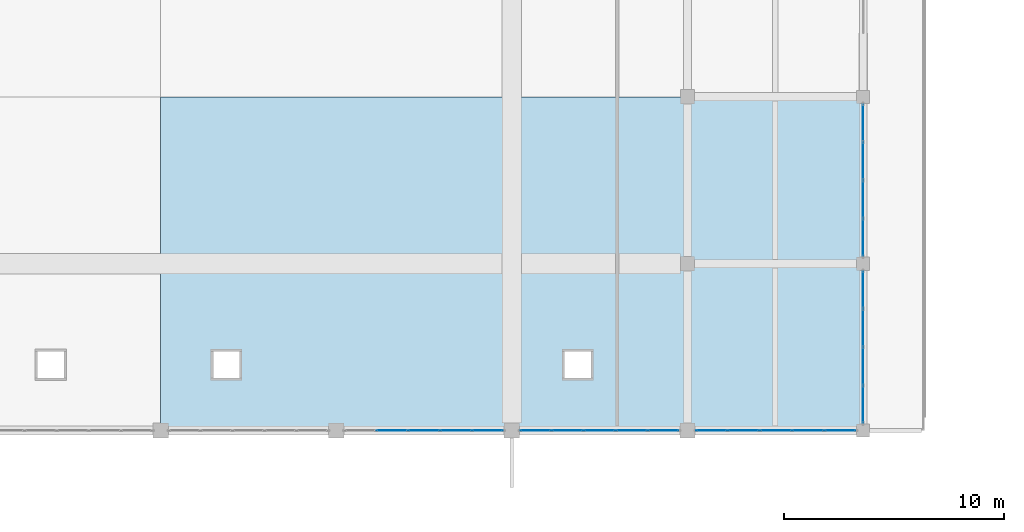
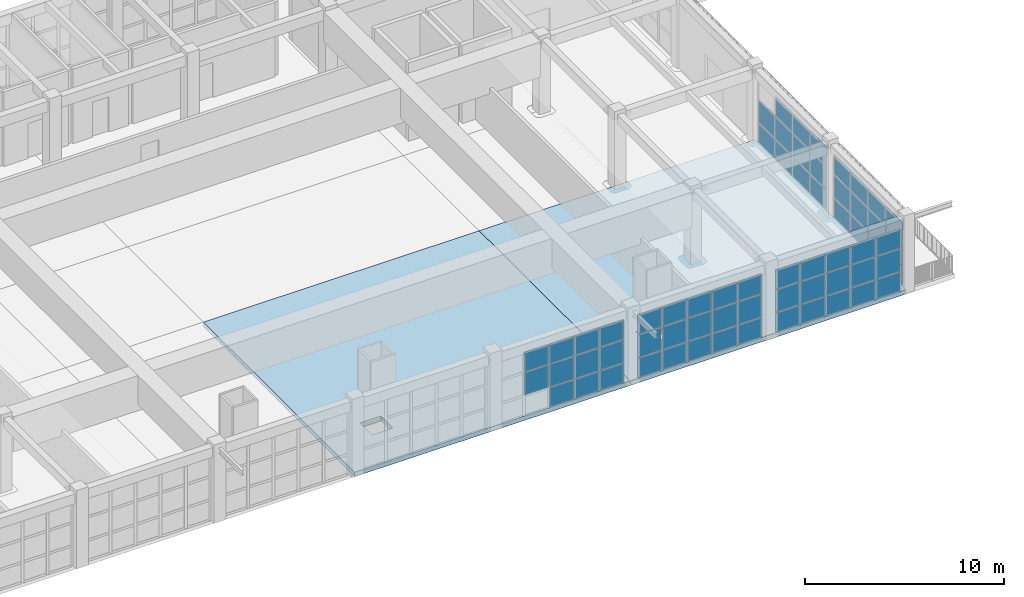
# One storey, part 32 of 50: 64 plates, 2 slabs, 5 elements without a shape of their own.
"""IFC4 building model written with IfcOpenShell, lengths in metres."""

from ifc_helpers import new_model, si_unit, direction, frame, origin, origin_2d, place, context, subcontext, project, spatial, polyline, rectangle, outline, extrude, material, layer, layer_set, type_object, element, aggregate, save


model = new_model("IFC4")

# Units and contexts
model_context = context("Model", 3, precision=1e-05, world=origin(), true_north=direction((0.0, 1.0)))
body_context = subcontext(model_context, "Body", "Model", "MODEL_VIEW")
ifc_project = project(units=[si_unit("LENGTHUNIT", "METRE"), si_unit("AREAUNIT", "SQUARE_METRE"), si_unit("VOLUMEUNIT", "CUBIC_METRE"), si_unit("PLANEANGLEUNIT", "RADIAN"), si_unit("MASSUNIT", "GRAM", prefix="KILO")], contexts=[model_context])

# Site, building, storey
site_placement = place(None, origin())
site = spatial("IfcSite", under=ifc_project, at=site_placement, CompositionType="ELEMENT")
building_placement = place(site_placement, origin())
building = spatial("IfcBuilding", under=site, at=building_placement, Name="Zantavel Square City Hall", CompositionType="ELEMENT")
storey_placement = place(building_placement, frame((0.0, 0.0, 18.89990234375)))
storey = spatial("IfcBuildingStorey", under=building, at=storey_placement, Name="L05", CompositionType="ELEMENT", Elevation=18.89990234375)

# Slabs
ifc_material_1 = material(Name="Concrete C40/50", Category="concrete")
ifc_layer_1 = layer(ifc_material_1, 0.27001953125, Name="Concrete C40/50")
ifc_layer_set_1 = layer_set([ifc_layer_1], Name="Concrete C40/50")
slab_type = type_object("IfcSlabType", Name="Council Chamber Acoustic Slab 270mm C40/50", PredefinedType="FLOOR", material=ifc_layer_set_1)
slab_1_placement = place(storey_placement, frame((0.0, 0.0, -0.27001953125)))
element("IfcSlab", 1, at=slab_1_placement, inside=storey, type_object=slab_type, Name="L05 Floor Slab SLB-L05-V1-03", PredefinedType="FLOOR", context=body_context, shape_type="SweptSolid", body=[
    extrude(outline(polyline([(96.0, 30.39990234375), (80.0, 30.39990234375), (80.0, 45.60009765625), (96.0, 45.60009765625), (96.0, 30.39990234375)]), holes=[polyline([(83.60009765625, 34.0), (82.39990234375, 34.0), (82.39990234375, 32.800048828125), (83.60009765625, 32.800048828125), (83.60009765625, 34.0)])]), origin(), (0.0, 0.0, 1.0), 0.27001953125),
])
slab_2_placement = place(storey_placement, frame((0.0, 0.0, -0.27001953125)))
element("IfcSlab", 2, at=slab_2_placement, inside=storey, type_object=slab_type, Name="L05 Floor Slab SLB-L05-V1-04", PredefinedType="FLOOR", context=body_context, shape_type="SweptSolid", body=[
    extrude(outline(polyline([(112.0, 30.39990234375), (96.0, 30.39990234375), (96.0, 45.60009765625), (112.0, 45.60009765625), (112.0, 30.39990234375)]), holes=[polyline([(99.60009765625, 34.0), (98.39990234375, 34.0), (98.39990234375, 32.800048828125), (99.60009765625, 32.800048828125), (99.60009765625, 34.0)])]), origin(), (0.0, 0.0, 1.0), 0.27001953125),
])

# Curtain wall, plates
ifc_material_2 = material(Name="Anodised aluminium 6063-T6", Category="aluminium")
curtain_wall_type_1 = type_object("IfcCurtainWallType", Name="Curtain Wall TRV1 7300x3970", PredefinedType="USERDEFINED", material=ifc_material_2)
curtain_wall_1_placement = place(storey_placement, origin())
curtain_wall_1 = element("IfcCurtainWall", 3, at=curtain_wall_1_placement, inside=storey, type_object=curtain_wall_type_1, Name="L05 Glazed Curtain Wall CW-L05-134", ObjectType="GLAZED CURTAIN WALL", PredefinedType="USERDEFINED")
ifc_material_3 = material(Name="Tempered safety glass low-E double glazing", Category="glass")
ifc_layer_2 = layer(ifc_material_3, 0.028076171875, Name="Tempered safety glass low-E double glazing")
ifc_layer_set_2 = layer_set([ifc_layer_2], Name="Tempered safety glass low-E double glazing")
plate_type_1 = type_object("IfcPlateType", Name="Low-E Curtain Glazing Panel 1460x1323x28", PredefinedType="CURTAIN_PANEL", material=ifc_layer_set_2)
plate_1_placement = place(storey_placement, frame((102.905029296875, 30.39990234375, 0.06005859375), z_axis=(0.0, 0.0, 1.0), x_axis=(-1.0, 0.0, 0.0)))
plate_1 = element("IfcPlate", 4, at=plate_1_placement, type_object=plate_type_1, Name="CW-134 panel 1.1", PredefinedType="CURTAIN_PANEL", context=body_context, shape_type="SweptSolid", body=[
    extrude(rectangle(XDim=1.3701171875, YDim=0.028076171875, at=origin_2d()), origin(), (0.0, 0.0, 1.0), 1.179931640625),
])
plate_2_placement = place(storey_placement, frame((102.905029296875, 30.39990234375, 1.300048828125), z_axis=(0.0, 0.0, 1.0), x_axis=(-1.0, 0.0, 0.0)))
plate_2 = element("IfcPlate", 5, at=plate_2_placement, type_object=plate_type_1, Name="CW-134 panel 1.2", PredefinedType="CURTAIN_PANEL", context=body_context, shape_type="SweptSolid", body=[
    extrude(rectangle(XDim=1.3701171875, YDim=0.028076171875, at=origin_2d()), origin(), (0.0, 0.0, 1.0), 1.3701171875),
])
plate_3_placement = place(storey_placement, frame((102.905029296875, 30.39990234375, 2.72998046875), z_axis=(0.0, 0.0, 1.0), x_axis=(-1.0, 0.0, 0.0)))
plate_3 = element("IfcPlate", 6, at=plate_3_placement, type_object=plate_type_1, Name="CW-134 panel 1.3", PredefinedType="CURTAIN_PANEL", context=body_context, shape_type="SweptSolid", body=[
    extrude(rectangle(XDim=1.3701171875, YDim=0.028076171875, at=origin_2d()), origin(), (0.0, 0.0, 1.0), 1.179931640625),
])
plate_4_placement = place(storey_placement, frame((101.4599609375, 30.39990234375, 0.06005859375), z_axis=(0.0, 0.0, 1.0), x_axis=(-1.0, 0.0, 0.0)))
plate_4 = element("IfcPlate", 7, at=plate_4_placement, type_object=plate_type_1, Name="CW-134 panel 2.1", PredefinedType="CURTAIN_PANEL", context=body_context, shape_type="SweptSolid", body=[
    extrude(rectangle(XDim=1.39990234375, YDim=0.028076171875, at=origin_2d()), origin(), (0.0, 0.0, 1.0), 1.179931640625),
])
plate_5_placement = place(storey_placement, frame((101.4599609375, 30.39990234375, 1.300048828125), z_axis=(0.0, 0.0, 1.0), x_axis=(-1.0, 0.0, 0.0)))
plate_5 = element("IfcPlate", 8, at=plate_5_placement, type_object=plate_type_1, Name="CW-134 panel 2.2", PredefinedType="CURTAIN_PANEL", context=body_context, shape_type="SweptSolid", body=[
    extrude(rectangle(XDim=1.39990234375, YDim=0.028076171875, at=origin_2d()), origin(), (0.0, 0.0, 1.0), 1.3701171875),
])
plate_6_placement = place(storey_placement, frame((101.4599609375, 30.39990234375, 2.72998046875), z_axis=(0.0, 0.0, 1.0), x_axis=(-1.0, 0.0, 0.0)))
plate_6 = element("IfcPlate", 9, at=plate_6_placement, type_object=plate_type_1, Name="CW-134 panel 2.3", PredefinedType="CURTAIN_PANEL", context=body_context, shape_type="SweptSolid", body=[
    extrude(rectangle(XDim=1.39990234375, YDim=0.028076171875, at=origin_2d()), origin(), (0.0, 0.0, 1.0), 1.179931640625),
])
plate_7_placement = place(storey_placement, frame((100.0, 30.39990234375, 0.06005859375), z_axis=(0.0, 0.0, 1.0), x_axis=(-1.0, 0.0, 0.0)))
plate_7 = element("IfcPlate", 10, at=plate_7_placement, type_object=plate_type_1, Name="CW-134 panel 3.1", PredefinedType="CURTAIN_PANEL", context=body_context, shape_type="SweptSolid", body=[
    extrude(rectangle(XDim=1.39990234375, YDim=0.028076171875, at=origin_2d()), origin(), (0.0, 0.0, 1.0), 1.179931640625),
])
plate_8_placement = place(storey_placement, frame((100.0, 30.39990234375, 1.300048828125), z_axis=(0.0, 0.0, 1.0), x_axis=(-1.0, 0.0, 0.0)))
plate_8 = element("IfcPlate", 11, at=plate_8_placement, type_object=plate_type_1, Name="CW-134 panel 3.2", PredefinedType="CURTAIN_PANEL", context=body_context, shape_type="SweptSolid", body=[
    extrude(rectangle(XDim=1.39990234375, YDim=0.028076171875, at=origin_2d()), origin(), (0.0, 0.0, 1.0), 1.3701171875),
])
plate_9_placement = place(storey_placement, frame((100.0, 30.39990234375, 2.72998046875), z_axis=(0.0, 0.0, 1.0), x_axis=(-1.0, 0.0, 0.0)))
plate_9 = element("IfcPlate", 12, at=plate_9_placement, type_object=plate_type_1, Name="CW-134 panel 3.3", PredefinedType="CURTAIN_PANEL", context=body_context, shape_type="SweptSolid", body=[
    extrude(rectangle(XDim=1.39990234375, YDim=0.028076171875, at=origin_2d()), origin(), (0.0, 0.0, 1.0), 1.179931640625),
])
plate_10_placement = place(storey_placement, frame((98.5400390625, 30.39990234375, 0.06005859375), z_axis=(0.0, 0.0, 1.0), x_axis=(-1.0, 0.0, 0.0)))
plate_10 = element("IfcPlate", 13, at=plate_10_placement, type_object=plate_type_1, Name="CW-134 panel 4.1", PredefinedType="CURTAIN_PANEL", context=body_context, shape_type="SweptSolid", body=[
    extrude(rectangle(XDim=1.39990234375, YDim=0.028076171875, at=origin_2d()), origin(), (0.0, 0.0, 1.0), 1.179931640625),
])
plate_11_placement = place(storey_placement, frame((98.5400390625, 30.39990234375, 1.300048828125), z_axis=(0.0, 0.0, 1.0), x_axis=(-1.0, 0.0, 0.0)))
plate_11 = element("IfcPlate", 14, at=plate_11_placement, type_object=plate_type_1, Name="CW-134 panel 4.2", PredefinedType="CURTAIN_PANEL", context=body_context, shape_type="SweptSolid", body=[
    extrude(rectangle(XDim=1.39990234375, YDim=0.028076171875, at=origin_2d()), origin(), (0.0, 0.0, 1.0), 1.3701171875),
])
plate_12_placement = place(storey_placement, frame((98.5400390625, 30.39990234375, 2.72998046875), z_axis=(0.0, 0.0, 1.0), x_axis=(-1.0, 0.0, 0.0)))
plate_12 = element("IfcPlate", 15, at=plate_12_placement, type_object=plate_type_1, Name="CW-134 panel 4.3", PredefinedType="CURTAIN_PANEL", context=body_context, shape_type="SweptSolid", body=[
    extrude(rectangle(XDim=1.39990234375, YDim=0.028076171875, at=origin_2d()), origin(), (0.0, 0.0, 1.0), 1.179931640625),
])
plate_13_placement = place(storey_placement, frame((97.094970703125, 30.39990234375, 0.06005859375), z_axis=(0.0, 0.0, 1.0), x_axis=(-1.0, 0.0, 0.0)))
plate_13 = element("IfcPlate", 16, at=plate_13_placement, type_object=plate_type_1, Name="CW-134 panel 5.1", PredefinedType="CURTAIN_PANEL", context=body_context, shape_type="SweptSolid", body=[
    extrude(rectangle(XDim=1.3701171875, YDim=0.028076171875, at=origin_2d()), origin(), (0.0, 0.0, 1.0), 1.179931640625),
])
plate_14_placement = place(storey_placement, frame((97.094970703125, 30.39990234375, 1.300048828125), z_axis=(0.0, 0.0, 1.0), x_axis=(-1.0, 0.0, 0.0)))
plate_14 = element("IfcPlate", 17, at=plate_14_placement, type_object=plate_type_1, Name="CW-134 panel 5.2", PredefinedType="CURTAIN_PANEL", context=body_context, shape_type="SweptSolid", body=[
    extrude(rectangle(XDim=1.3701171875, YDim=0.028076171875, at=origin_2d()), origin(), (0.0, 0.0, 1.0), 1.3701171875),
])
plate_15_placement = place(storey_placement, frame((97.094970703125, 30.39990234375, 2.72998046875), z_axis=(0.0, 0.0, 1.0), x_axis=(-1.0, 0.0, 0.0)))
plate_15 = element("IfcPlate", 18, at=plate_15_placement, type_object=plate_type_1, Name="CW-134 panel 5.3", PredefinedType="CURTAIN_PANEL", context=body_context, shape_type="SweptSolid", body=[
    extrude(rectangle(XDim=1.3701171875, YDim=0.028076171875, at=origin_2d()), origin(), (0.0, 0.0, 1.0), 1.179931640625),
])
aggregate(curtain_wall_1, [plate_1, plate_2, plate_3, plate_4, plate_5, plate_6, plate_7, plate_8, plate_9, plate_10, plate_11, plate_12, plate_13, plate_14, plate_15])

curtain_wall_2_placement = place(storey_placement, origin())
curtain_wall_2 = element("IfcCurtainWall", 19, at=curtain_wall_2_placement, inside=storey, type_object=curtain_wall_type_1, Name="L05 Glazed Curtain Wall CW-L05-135", ObjectType="GLAZED CURTAIN WALL", PredefinedType="USERDEFINED")
plate_16_placement = place(storey_placement, frame((94.905029296875, 30.39990234375, 0.06005859375), z_axis=(0.0, 0.0, 1.0), x_axis=(-1.0, 0.0, 0.0)))
plate_16 = element("IfcPlate", 20, at=plate_16_placement, type_object=plate_type_1, Name="CW-135 panel 1.1", PredefinedType="CURTAIN_PANEL", context=body_context, shape_type="SweptSolid", body=[
    extrude(rectangle(XDim=1.3701171875, YDim=0.028076171875, at=origin_2d()), origin(), (0.0, 0.0, 1.0), 1.179931640625),
])
plate_17_placement = place(storey_placement, frame((94.905029296875, 30.39990234375, 1.300048828125), z_axis=(0.0, 0.0, 1.0), x_axis=(-1.0, 0.0, 0.0)))
plate_17 = element("IfcPlate", 21, at=plate_17_placement, type_object=plate_type_1, Name="CW-135 panel 1.2", PredefinedType="CURTAIN_PANEL", context=body_context, shape_type="SweptSolid", body=[
    extrude(rectangle(XDim=1.3701171875, YDim=0.028076171875, at=origin_2d()), origin(), (0.0, 0.0, 1.0), 1.3701171875),
])
plate_18_placement = place(storey_placement, frame((94.905029296875, 30.39990234375, 2.72998046875), z_axis=(0.0, 0.0, 1.0), x_axis=(-1.0, 0.0, 0.0)))
plate_18 = element("IfcPlate", 22, at=plate_18_placement, type_object=plate_type_1, Name="CW-135 panel 1.3", PredefinedType="CURTAIN_PANEL", context=body_context, shape_type="SweptSolid", body=[
    extrude(rectangle(XDim=1.3701171875, YDim=0.028076171875, at=origin_2d()), origin(), (0.0, 0.0, 1.0), 1.179931640625),
])
plate_19_placement = place(storey_placement, frame((93.4599609375, 30.39990234375, 0.06005859375), z_axis=(0.0, 0.0, 1.0), x_axis=(-1.0, 0.0, 0.0)))
plate_19 = element("IfcPlate", 23, at=plate_19_placement, type_object=plate_type_1, Name="CW-135 panel 2.1", PredefinedType="CURTAIN_PANEL", context=body_context, shape_type="SweptSolid", body=[
    extrude(rectangle(XDim=1.39990234375, YDim=0.028076171875, at=origin_2d()), origin(), (0.0, 0.0, 1.0), 1.179931640625),
])
plate_20_placement = place(storey_placement, frame((93.4599609375, 30.39990234375, 1.300048828125), z_axis=(0.0, 0.0, 1.0), x_axis=(-1.0, 0.0, 0.0)))
plate_20 = element("IfcPlate", 24, at=plate_20_placement, type_object=plate_type_1, Name="CW-135 panel 2.2", PredefinedType="CURTAIN_PANEL", context=body_context, shape_type="SweptSolid", body=[
    extrude(rectangle(XDim=1.39990234375, YDim=0.028076171875, at=origin_2d()), origin(), (0.0, 0.0, 1.0), 1.3701171875),
])
plate_21_placement = place(storey_placement, frame((93.4599609375, 30.39990234375, 2.72998046875), z_axis=(0.0, 0.0, 1.0), x_axis=(-1.0, 0.0, 0.0)))
plate_21 = element("IfcPlate", 25, at=plate_21_placement, type_object=plate_type_1, Name="CW-135 panel 2.3", PredefinedType="CURTAIN_PANEL", context=body_context, shape_type="SweptSolid", body=[
    extrude(rectangle(XDim=1.39990234375, YDim=0.028076171875, at=origin_2d()), origin(), (0.0, 0.0, 1.0), 1.179931640625),
])
plate_22_placement = place(storey_placement, frame((92.0, 30.39990234375, 0.06005859375), z_axis=(0.0, 0.0, 1.0), x_axis=(-1.0, 0.0, 0.0)))
plate_22 = element("IfcPlate", 26, at=plate_22_placement, type_object=plate_type_1, Name="CW-135 panel 3.1", PredefinedType="CURTAIN_PANEL", context=body_context, shape_type="SweptSolid", body=[
    extrude(rectangle(XDim=1.39990234375, YDim=0.028076171875, at=origin_2d()), origin(), (0.0, 0.0, 1.0), 1.179931640625),
])
plate_23_placement = place(storey_placement, frame((92.0, 30.39990234375, 1.300048828125), z_axis=(0.0, 0.0, 1.0), x_axis=(-1.0, 0.0, 0.0)))
plate_23 = element("IfcPlate", 27, at=plate_23_placement, type_object=plate_type_1, Name="CW-135 panel 3.2", PredefinedType="CURTAIN_PANEL", context=body_context, shape_type="SweptSolid", body=[
    extrude(rectangle(XDim=1.39990234375, YDim=0.028076171875, at=origin_2d()), origin(), (0.0, 0.0, 1.0), 1.3701171875),
])
plate_24_placement = place(storey_placement, frame((92.0, 30.39990234375, 2.72998046875), z_axis=(0.0, 0.0, 1.0), x_axis=(-1.0, 0.0, 0.0)))
plate_24 = element("IfcPlate", 28, at=plate_24_placement, type_object=plate_type_1, Name="CW-135 panel 3.3", PredefinedType="CURTAIN_PANEL", context=body_context, shape_type="SweptSolid", body=[
    extrude(rectangle(XDim=1.39990234375, YDim=0.028076171875, at=origin_2d()), origin(), (0.0, 0.0, 1.0), 1.179931640625),
])
plate_25_placement = place(storey_placement, frame((90.5400390625, 30.39990234375, 1.300048828125), z_axis=(0.0, 0.0, 1.0), x_axis=(-1.0, 0.0, 0.0)))
plate_25 = element("IfcPlate", 29, at=plate_25_placement, type_object=plate_type_1, Name="CW-135 panel 4.2", PredefinedType="CURTAIN_PANEL", context=body_context, shape_type="SweptSolid", body=[
    extrude(rectangle(XDim=1.39990234375, YDim=0.028076171875, at=origin_2d()), origin(), (0.0, 0.0, 1.0), 1.3701171875),
])
plate_26_placement = place(storey_placement, frame((90.5400390625, 30.39990234375, 2.72998046875), z_axis=(0.0, 0.0, 1.0), x_axis=(-1.0, 0.0, 0.0)))
plate_26 = element("IfcPlate", 30, at=plate_26_placement, type_object=plate_type_1, Name="CW-135 panel 4.3", PredefinedType="CURTAIN_PANEL", context=body_context, shape_type="SweptSolid", body=[
    extrude(rectangle(XDim=1.39990234375, YDim=0.028076171875, at=origin_2d()), origin(), (0.0, 0.0, 1.0), 1.179931640625),
])
aggregate(curtain_wall_2, [plate_16, plate_17, plate_18, plate_19, plate_20, plate_21, plate_22, plate_23, plate_24, plate_25, plate_26])

curtain_wall_type_2 = type_object("IfcCurtainWallType", Name="Curtain Wall TRV1 7350x3920", PredefinedType="USERDEFINED", material=ifc_material_2)
curtain_wall_3_placement = place(storey_placement, origin())
curtain_wall_3 = element("IfcCurtainWall", 31, at=curtain_wall_3_placement, inside=storey, type_object=curtain_wall_type_2, Name="L05 Glazed Curtain Wall CW-L05-133", ObjectType="GLAZED CURTAIN WALL", PredefinedType="USERDEFINED")
ifc_layer_3 = layer(ifc_material_3, 0.028076171875, Name="Tempered safety glass low-E double glazing")
ifc_layer_set_3 = layer_set([ifc_layer_3], Name="Tempered safety glass low-E double glazing")
plate_type_2 = type_object("IfcPlateType", Name="Low-E Curtain Glazing Panel 1470x1307x28", PredefinedType="CURTAIN_PANEL", material=ifc_layer_set_3)
plate_27_placement = place(storey_placement, frame((110.949951171875, 30.39990234375, 0.06005859375), z_axis=(0.0, 0.0, 1.0), x_axis=(-1.0, 0.0, 0.0)))
plate_27 = element("IfcPlate", 32, at=plate_27_placement, type_object=plate_type_2, Name="CW-133 panel 1.1", PredefinedType="CURTAIN_PANEL", context=body_context, shape_type="SweptSolid", body=[
    extrude(rectangle(XDim=1.3798828125, YDim=0.028076171875, at=origin_2d()), origin(), (0.0, 0.0, 1.0), 1.1640625),
])
plate_28_placement = place(storey_placement, frame((110.949951171875, 30.39990234375, 1.2841796875), z_axis=(0.0, 0.0, 1.0), x_axis=(-1.0, 0.0, 0.0)))
plate_28 = element("IfcPlate", 33, at=plate_28_placement, type_object=plate_type_2, Name="CW-133 panel 1.2", PredefinedType="CURTAIN_PANEL", context=body_context, shape_type="SweptSolid", body=[
    extrude(rectangle(XDim=1.3798828125, YDim=0.028076171875, at=origin_2d()), origin(), (0.0, 0.0, 1.0), 1.35205078125),
])
plate_29_placement = place(storey_placement, frame((110.949951171875, 30.39990234375, 2.696044921875), z_axis=(0.0, 0.0, 1.0), x_axis=(-1.0, 0.0, 0.0)))
plate_29 = element("IfcPlate", 34, at=plate_29_placement, type_object=plate_type_2, Name="CW-133 panel 1.3", PredefinedType="CURTAIN_PANEL", context=body_context, shape_type="SweptSolid", body=[
    extrude(rectangle(XDim=1.3798828125, YDim=0.028076171875, at=origin_2d()), origin(), (0.0, 0.0, 1.0), 1.1640625),
])
plate_30_placement = place(storey_placement, frame((109.4951171875, 30.39990234375, 0.06005859375), z_axis=(0.0, 0.0, 1.0), x_axis=(-1.0, 0.0, 0.0)))
plate_30 = element("IfcPlate", 35, at=plate_30_placement, type_object=plate_type_2, Name="CW-133 panel 2.1", PredefinedType="CURTAIN_PANEL", context=body_context, shape_type="SweptSolid", body=[
    extrude(rectangle(XDim=1.409912109375, YDim=0.028076171875, at=origin_2d()), origin(), (0.0, 0.0, 1.0), 1.1640625),
])
plate_31_placement = place(storey_placement, frame((109.4951171875, 30.39990234375, 1.2841796875), z_axis=(0.0, 0.0, 1.0), x_axis=(-1.0, 0.0, 0.0)))
plate_31 = element("IfcPlate", 36, at=plate_31_placement, type_object=plate_type_2, Name="CW-133 panel 2.2", PredefinedType="CURTAIN_PANEL", context=body_context, shape_type="SweptSolid", body=[
    extrude(rectangle(XDim=1.409912109375, YDim=0.028076171875, at=origin_2d()), origin(), (0.0, 0.0, 1.0), 1.35205078125),
])
plate_32_placement = place(storey_placement, frame((109.4951171875, 30.39990234375, 2.696044921875), z_axis=(0.0, 0.0, 1.0), x_axis=(-1.0, 0.0, 0.0)))
plate_32 = element("IfcPlate", 37, at=plate_32_placement, type_object=plate_type_2, Name="CW-133 panel 2.3", PredefinedType="CURTAIN_PANEL", context=body_context, shape_type="SweptSolid", body=[
    extrude(rectangle(XDim=1.409912109375, YDim=0.028076171875, at=origin_2d()), origin(), (0.0, 0.0, 1.0), 1.1640625),
])
plate_33_placement = place(storey_placement, frame((108.02490234375, 30.39990234375, 0.06005859375), z_axis=(0.0, 0.0, 1.0), x_axis=(-1.0, 0.0, 0.0)))
plate_33 = element("IfcPlate", 38, at=plate_33_placement, type_object=plate_type_2, Name="CW-133 panel 3.1", PredefinedType="CURTAIN_PANEL", context=body_context, shape_type="SweptSolid", body=[
    extrude(rectangle(XDim=1.409912109375, YDim=0.028076171875, at=origin_2d()), origin(), (0.0, 0.0, 1.0), 1.1640625),
])
plate_34_placement = place(storey_placement, frame((108.02490234375, 30.39990234375, 1.2841796875), z_axis=(0.0, 0.0, 1.0), x_axis=(-1.0, 0.0, 0.0)))
plate_34 = element("IfcPlate", 39, at=plate_34_placement, type_object=plate_type_2, Name="CW-133 panel 3.2", PredefinedType="CURTAIN_PANEL", context=body_context, shape_type="SweptSolid", body=[
    extrude(rectangle(XDim=1.409912109375, YDim=0.028076171875, at=origin_2d()), origin(), (0.0, 0.0, 1.0), 1.35205078125),
])
plate_35_placement = place(storey_placement, frame((108.02490234375, 30.39990234375, 2.696044921875), z_axis=(0.0, 0.0, 1.0), x_axis=(-1.0, 0.0, 0.0)))
plate_35 = element("IfcPlate", 40, at=plate_35_placement, type_object=plate_type_2, Name="CW-133 panel 3.3", PredefinedType="CURTAIN_PANEL", context=body_context, shape_type="SweptSolid", body=[
    extrude(rectangle(XDim=1.409912109375, YDim=0.028076171875, at=origin_2d()), origin(), (0.0, 0.0, 1.0), 1.1640625),
])
plate_36_placement = place(storey_placement, frame((106.554931640625, 30.39990234375, 0.06005859375), z_axis=(0.0, 0.0, 1.0), x_axis=(-1.0, 0.0, 0.0)))
plate_36 = element("IfcPlate", 41, at=plate_36_placement, type_object=plate_type_2, Name="CW-133 panel 4.1", PredefinedType="CURTAIN_PANEL", context=body_context, shape_type="SweptSolid", body=[
    extrude(rectangle(XDim=1.409912109375, YDim=0.028076171875, at=origin_2d()), origin(), (0.0, 0.0, 1.0), 1.1640625),
])
plate_37_placement = place(storey_placement, frame((106.554931640625, 30.39990234375, 1.2841796875), z_axis=(0.0, 0.0, 1.0), x_axis=(-1.0, 0.0, 0.0)))
plate_37 = element("IfcPlate", 42, at=plate_37_placement, type_object=plate_type_2, Name="CW-133 panel 4.2", PredefinedType="CURTAIN_PANEL", context=body_context, shape_type="SweptSolid", body=[
    extrude(rectangle(XDim=1.409912109375, YDim=0.028076171875, at=origin_2d()), origin(), (0.0, 0.0, 1.0), 1.35205078125),
])
plate_38_placement = place(storey_placement, frame((106.554931640625, 30.39990234375, 2.696044921875), z_axis=(0.0, 0.0, 1.0), x_axis=(-1.0, 0.0, 0.0)))
plate_38 = element("IfcPlate", 43, at=plate_38_placement, type_object=plate_type_2, Name="CW-133 panel 4.3", PredefinedType="CURTAIN_PANEL", context=body_context, shape_type="SweptSolid", body=[
    extrude(rectangle(XDim=1.409912109375, YDim=0.028076171875, at=origin_2d()), origin(), (0.0, 0.0, 1.0), 1.1640625),
])
plate_39_placement = place(storey_placement, frame((105.10009765625, 30.39990234375, 0.06005859375), z_axis=(0.0, 0.0, 1.0), x_axis=(-1.0, 0.0, 0.0)))
plate_39 = element("IfcPlate", 44, at=plate_39_placement, type_object=plate_type_2, Name="CW-133 panel 5.1", PredefinedType="CURTAIN_PANEL", context=body_context, shape_type="SweptSolid", body=[
    extrude(rectangle(XDim=1.3798828125, YDim=0.028076171875, at=origin_2d()), origin(), (0.0, 0.0, 1.0), 1.1640625),
])
plate_40_placement = place(storey_placement, frame((105.10009765625, 30.39990234375, 1.2841796875), z_axis=(0.0, 0.0, 1.0), x_axis=(-1.0, 0.0, 0.0)))
plate_40 = element("IfcPlate", 45, at=plate_40_placement, type_object=plate_type_2, Name="CW-133 panel 5.2", PredefinedType="CURTAIN_PANEL", context=body_context, shape_type="SweptSolid", body=[
    extrude(rectangle(XDim=1.3798828125, YDim=0.028076171875, at=origin_2d()), origin(), (0.0, 0.0, 1.0), 1.35205078125),
])
plate_41_placement = place(storey_placement, frame((105.10009765625, 30.39990234375, 2.696044921875), z_axis=(0.0, 0.0, 1.0), x_axis=(-1.0, 0.0, 0.0)))
plate_41 = element("IfcPlate", 46, at=plate_41_placement, type_object=plate_type_2, Name="CW-133 panel 5.3", PredefinedType="CURTAIN_PANEL", context=body_context, shape_type="SweptSolid", body=[
    extrude(rectangle(XDim=1.3798828125, YDim=0.028076171875, at=origin_2d()), origin(), (0.0, 0.0, 1.0), 1.1640625),
])
aggregate(curtain_wall_3, [plate_27, plate_28, plate_29, plate_30, plate_31, plate_32, plate_33, plate_34, plate_35, plate_36, plate_37, plate_38, plate_39, plate_40, plate_41])

curtain_wall_type_3 = type_object("IfcCurtainWallType", Name="Curtain Wall TRV1 7000x3970", PredefinedType="USERDEFINED", material=ifc_material_2)
curtain_wall_4_placement = place(storey_placement, origin())
curtain_wall_4 = element("IfcCurtainWall", 47, at=curtain_wall_4_placement, inside=storey, type_object=curtain_wall_type_3, Name="L05 Glazed Curtain Wall CW-L05-131", ObjectType="GLAZED CURTAIN WALL", PredefinedType="USERDEFINED")
ifc_layer_4 = layer(ifc_material_3, 0.028076171875, Name="Tempered safety glass low-E double glazing")
ifc_layer_set_4 = layer_set([ifc_layer_4], Name="Tempered safety glass low-E double glazing")
plate_type_3 = type_object("IfcPlateType", Name="Low-E Curtain Glazing Panel 1750x1323x28", PredefinedType="CURTAIN_PANEL", material=ifc_layer_set_4)
plate_42_placement = place(storey_placement, frame((112.0, 44.409912109375, 0.06005859375), z_axis=(0.0, 0.0, 1.0), x_axis=(0.0, -1.0, 0.0)))
plate_42 = element("IfcPlate", 48, at=plate_42_placement, type_object=plate_type_3, Name="CW-131 panel 1.1", PredefinedType="CURTAIN_PANEL", context=body_context, shape_type="SweptSolid", body=[
    extrude(rectangle(XDim=1.659912109375, YDim=0.028076171875, at=origin_2d()), origin(), (0.0, 0.0, 1.0), 1.179931640625),
])
plate_43_placement = place(storey_placement, frame((112.0, 44.409912109375, 1.300048828125), z_axis=(0.0, 0.0, 1.0), x_axis=(0.0, -1.0, 0.0)))
plate_43 = element("IfcPlate", 49, at=plate_43_placement, type_object=plate_type_3, Name="CW-131 panel 1.2", PredefinedType="CURTAIN_PANEL", context=body_context, shape_type="SweptSolid", body=[
    extrude(rectangle(XDim=1.659912109375, YDim=0.028076171875, at=origin_2d()), origin(), (0.0, 0.0, 1.0), 1.3701171875),
])
plate_44_placement = place(storey_placement, frame((112.0, 42.675048828125, 0.06005859375), z_axis=(0.0, 0.0, 1.0), x_axis=(0.0, -1.0, 0.0)))
plate_44 = element("IfcPlate", 50, at=plate_44_placement, type_object=plate_type_3, Name="CW-131 panel 2.1", PredefinedType="CURTAIN_PANEL", context=body_context, shape_type="SweptSolid", body=[
    extrude(rectangle(XDim=1.68994140625, YDim=0.028076171875, at=origin_2d()), origin(), (0.0, 0.0, 1.0), 1.179931640625),
])
plate_45_placement = place(storey_placement, frame((112.0, 42.675048828125, 1.300048828125), z_axis=(0.0, 0.0, 1.0), x_axis=(0.0, -1.0, 0.0)))
plate_45 = element("IfcPlate", 51, at=plate_45_placement, type_object=plate_type_3, Name="CW-131 panel 2.2", PredefinedType="CURTAIN_PANEL", context=body_context, shape_type="SweptSolid", body=[
    extrude(rectangle(XDim=1.68994140625, YDim=0.028076171875, at=origin_2d()), origin(), (0.0, 0.0, 1.0), 1.3701171875),
])
plate_46_placement = place(storey_placement, frame((112.0, 42.675048828125, 2.72998046875), z_axis=(0.0, 0.0, 1.0), x_axis=(0.0, -1.0, 0.0)))
plate_46 = element("IfcPlate", 52, at=plate_46_placement, type_object=plate_type_3, Name="CW-131 panel 2.3", PredefinedType="CURTAIN_PANEL", context=body_context, shape_type="SweptSolid", body=[
    extrude(rectangle(XDim=1.68994140625, YDim=0.028076171875, at=origin_2d()), origin(), (0.0, 0.0, 1.0), 1.179931640625),
])
plate_47_placement = place(storey_placement, frame((112.0, 40.925048828125, 0.06005859375), z_axis=(0.0, 0.0, 1.0), x_axis=(0.0, -1.0, 0.0)))
plate_47 = element("IfcPlate", 53, at=plate_47_placement, type_object=plate_type_3, Name="CW-131 panel 3.1", PredefinedType="CURTAIN_PANEL", context=body_context, shape_type="SweptSolid", body=[
    extrude(rectangle(XDim=1.68994140625, YDim=0.028076171875, at=origin_2d()), origin(), (0.0, 0.0, 1.0), 1.179931640625),
])
plate_48_placement = place(storey_placement, frame((112.0, 40.925048828125, 1.300048828125), z_axis=(0.0, 0.0, 1.0), x_axis=(0.0, -1.0, 0.0)))
plate_48 = element("IfcPlate", 54, at=plate_48_placement, type_object=plate_type_3, Name="CW-131 panel 3.2", PredefinedType="CURTAIN_PANEL", context=body_context, shape_type="SweptSolid", body=[
    extrude(rectangle(XDim=1.68994140625, YDim=0.028076171875, at=origin_2d()), origin(), (0.0, 0.0, 1.0), 1.3701171875),
])
plate_49_placement = place(storey_placement, frame((112.0, 40.925048828125, 2.72998046875), z_axis=(0.0, 0.0, 1.0), x_axis=(0.0, -1.0, 0.0)))
plate_49 = element("IfcPlate", 55, at=plate_49_placement, type_object=plate_type_3, Name="CW-131 panel 3.3", PredefinedType="CURTAIN_PANEL", context=body_context, shape_type="SweptSolid", body=[
    extrude(rectangle(XDim=1.68994140625, YDim=0.028076171875, at=origin_2d()), origin(), (0.0, 0.0, 1.0), 1.179931640625),
])
plate_50_placement = place(storey_placement, frame((112.0, 39.18994140625, 0.06005859375), z_axis=(0.0, 0.0, 1.0), x_axis=(0.0, -1.0, 0.0)))
plate_50 = element("IfcPlate", 56, at=plate_50_placement, type_object=plate_type_3, Name="CW-131 panel 4.1", PredefinedType="CURTAIN_PANEL", context=body_context, shape_type="SweptSolid", body=[
    extrude(rectangle(XDim=1.659912109375, YDim=0.028076171875, at=origin_2d()), origin(), (0.0, 0.0, 1.0), 1.179931640625),
])
plate_51_placement = place(storey_placement, frame((112.0, 39.18994140625, 1.300048828125), z_axis=(0.0, 0.0, 1.0), x_axis=(0.0, -1.0, 0.0)))
plate_51 = element("IfcPlate", 57, at=plate_51_placement, type_object=plate_type_3, Name="CW-131 panel 4.2", PredefinedType="CURTAIN_PANEL", context=body_context, shape_type="SweptSolid", body=[
    extrude(rectangle(XDim=1.659912109375, YDim=0.028076171875, at=origin_2d()), origin(), (0.0, 0.0, 1.0), 1.3701171875),
])
plate_52_placement = place(storey_placement, frame((112.0, 39.18994140625, 2.72998046875), z_axis=(0.0, 0.0, 1.0), x_axis=(0.0, -1.0, 0.0)))
plate_52 = element("IfcPlate", 58, at=plate_52_placement, type_object=plate_type_3, Name="CW-131 panel 4.3", PredefinedType="CURTAIN_PANEL", context=body_context, shape_type="SweptSolid", body=[
    extrude(rectangle(XDim=1.659912109375, YDim=0.028076171875, at=origin_2d()), origin(), (0.0, 0.0, 1.0), 1.179931640625),
])
aggregate(curtain_wall_4, [plate_42, plate_43, plate_44, plate_45, plate_46, plate_47, plate_48, plate_49, plate_50, plate_51, plate_52])

curtain_wall_5_placement = place(storey_placement, origin())
curtain_wall_5 = element("IfcCurtainWall", 59, at=curtain_wall_5_placement, inside=storey, type_object=curtain_wall_type_3, Name="L05 Glazed Curtain Wall CW-L05-132", ObjectType="GLAZED CURTAIN WALL", PredefinedType="USERDEFINED")
plate_53_placement = place(storey_placement, frame((112.0, 36.81005859375, 0.06005859375), z_axis=(0.0, 0.0, 1.0), x_axis=(0.0, -1.0, 0.0)))
plate_53 = element("IfcPlate", 60, at=plate_53_placement, type_object=plate_type_3, Name="CW-132 panel 1.1", PredefinedType="CURTAIN_PANEL", context=body_context, shape_type="SweptSolid", body=[
    extrude(rectangle(XDim=1.659912109375, YDim=0.028076171875, at=origin_2d()), origin(), (0.0, 0.0, 1.0), 1.179931640625),
])
plate_54_placement = place(storey_placement, frame((112.0, 36.81005859375, 1.300048828125), z_axis=(0.0, 0.0, 1.0), x_axis=(0.0, -1.0, 0.0)))
plate_54 = element("IfcPlate", 61, at=plate_54_placement, type_object=plate_type_3, Name="CW-132 panel 1.2", PredefinedType="CURTAIN_PANEL", context=body_context, shape_type="SweptSolid", body=[
    extrude(rectangle(XDim=1.659912109375, YDim=0.028076171875, at=origin_2d()), origin(), (0.0, 0.0, 1.0), 1.3701171875),
])
plate_55_placement = place(storey_placement, frame((112.0, 36.81005859375, 2.72998046875), z_axis=(0.0, 0.0, 1.0), x_axis=(0.0, -1.0, 0.0)))
plate_55 = element("IfcPlate", 62, at=plate_55_placement, type_object=plate_type_3, Name="CW-132 panel 1.3", PredefinedType="CURTAIN_PANEL", context=body_context, shape_type="SweptSolid", body=[
    extrude(rectangle(XDim=1.659912109375, YDim=0.028076171875, at=origin_2d()), origin(), (0.0, 0.0, 1.0), 1.179931640625),
])
plate_56_placement = place(storey_placement, frame((112.0, 35.074951171875, 0.06005859375), z_axis=(0.0, 0.0, 1.0), x_axis=(0.0, -1.0, 0.0)))
plate_56 = element("IfcPlate", 63, at=plate_56_placement, type_object=plate_type_3, Name="CW-132 panel 2.1", PredefinedType="CURTAIN_PANEL", context=body_context, shape_type="SweptSolid", body=[
    extrude(rectangle(XDim=1.68994140625, YDim=0.028076171875, at=origin_2d()), origin(), (0.0, 0.0, 1.0), 1.179931640625),
])
plate_57_placement = place(storey_placement, frame((112.0, 35.074951171875, 1.300048828125), z_axis=(0.0, 0.0, 1.0), x_axis=(0.0, -1.0, 0.0)))
plate_57 = element("IfcPlate", 64, at=plate_57_placement, type_object=plate_type_3, Name="CW-132 panel 2.2", PredefinedType="CURTAIN_PANEL", context=body_context, shape_type="SweptSolid", body=[
    extrude(rectangle(XDim=1.68994140625, YDim=0.028076171875, at=origin_2d()), origin(), (0.0, 0.0, 1.0), 1.3701171875),
])
plate_58_placement = place(storey_placement, frame((112.0, 35.074951171875, 2.72998046875), z_axis=(0.0, 0.0, 1.0), x_axis=(0.0, -1.0, 0.0)))
plate_58 = element("IfcPlate", 65, at=plate_58_placement, type_object=plate_type_3, Name="CW-132 panel 2.3", PredefinedType="CURTAIN_PANEL", context=body_context, shape_type="SweptSolid", body=[
    extrude(rectangle(XDim=1.68994140625, YDim=0.028076171875, at=origin_2d()), origin(), (0.0, 0.0, 1.0), 1.179931640625),
])
plate_59_placement = place(storey_placement, frame((112.0, 33.324951171875, 0.06005859375), z_axis=(0.0, 0.0, 1.0), x_axis=(0.0, -1.0, 0.0)))
plate_59 = element("IfcPlate", 66, at=plate_59_placement, type_object=plate_type_3, Name="CW-132 panel 3.1", PredefinedType="CURTAIN_PANEL", context=body_context, shape_type="SweptSolid", body=[
    extrude(rectangle(XDim=1.68994140625, YDim=0.028076171875, at=origin_2d()), origin(), (0.0, 0.0, 1.0), 1.179931640625),
])
plate_60_placement = place(storey_placement, frame((112.0, 33.324951171875, 1.300048828125), z_axis=(0.0, 0.0, 1.0), x_axis=(0.0, -1.0, 0.0)))
plate_60 = element("IfcPlate", 67, at=plate_60_placement, type_object=plate_type_3, Name="CW-132 panel 3.2", PredefinedType="CURTAIN_PANEL", context=body_context, shape_type="SweptSolid", body=[
    extrude(rectangle(XDim=1.68994140625, YDim=0.028076171875, at=origin_2d()), origin(), (0.0, 0.0, 1.0), 1.3701171875),
])
plate_61_placement = place(storey_placement, frame((112.0, 33.324951171875, 2.72998046875), z_axis=(0.0, 0.0, 1.0), x_axis=(0.0, -1.0, 0.0)))
plate_61 = element("IfcPlate", 68, at=plate_61_placement, type_object=plate_type_3, Name="CW-132 panel 3.3", PredefinedType="CURTAIN_PANEL", context=body_context, shape_type="SweptSolid", body=[
    extrude(rectangle(XDim=1.68994140625, YDim=0.028076171875, at=origin_2d()), origin(), (0.0, 0.0, 1.0), 1.179931640625),
])
plate_62_placement = place(storey_placement, frame((112.0, 31.590087890625, 0.06005859375), z_axis=(0.0, 0.0, 1.0), x_axis=(0.0, -1.0, 0.0)))
plate_62 = element("IfcPlate", 69, at=plate_62_placement, type_object=plate_type_3, Name="CW-132 panel 4.1", PredefinedType="CURTAIN_PANEL", context=body_context, shape_type="SweptSolid", body=[
    extrude(rectangle(XDim=1.659912109375, YDim=0.028076171875, at=origin_2d()), origin(), (0.0, 0.0, 1.0), 1.179931640625),
])
plate_63_placement = place(storey_placement, frame((112.0, 31.590087890625, 1.300048828125), z_axis=(0.0, 0.0, 1.0), x_axis=(0.0, -1.0, 0.0)))
plate_63 = element("IfcPlate", 70, at=plate_63_placement, type_object=plate_type_3, Name="CW-132 panel 4.2", PredefinedType="CURTAIN_PANEL", context=body_context, shape_type="SweptSolid", body=[
    extrude(rectangle(XDim=1.659912109375, YDim=0.028076171875, at=origin_2d()), origin(), (0.0, 0.0, 1.0), 1.3701171875),
])
plate_64_placement = place(storey_placement, frame((112.0, 31.590087890625, 2.72998046875), z_axis=(0.0, 0.0, 1.0), x_axis=(0.0, -1.0, 0.0)))
plate_64 = element("IfcPlate", 71, at=plate_64_placement, type_object=plate_type_3, Name="CW-132 panel 4.3", PredefinedType="CURTAIN_PANEL", context=body_context, shape_type="SweptSolid", body=[
    extrude(rectangle(XDim=1.659912109375, YDim=0.028076171875, at=origin_2d()), origin(), (0.0, 0.0, 1.0), 1.179931640625),
])
aggregate(curtain_wall_5, [plate_53, plate_54, plate_55, plate_56, plate_57, plate_58, plate_59, plate_60, plate_61, plate_62, plate_63, plate_64])

save(model, "model.ifc")
